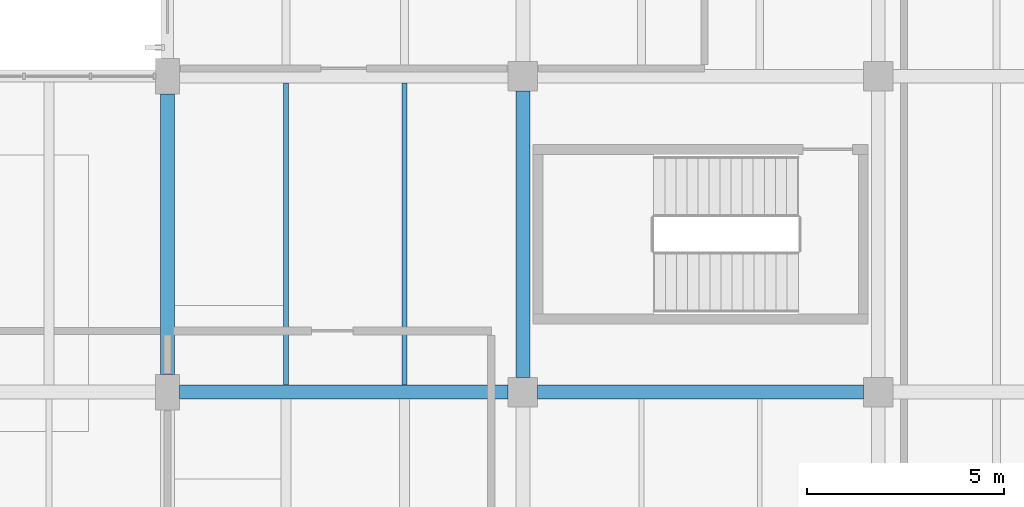
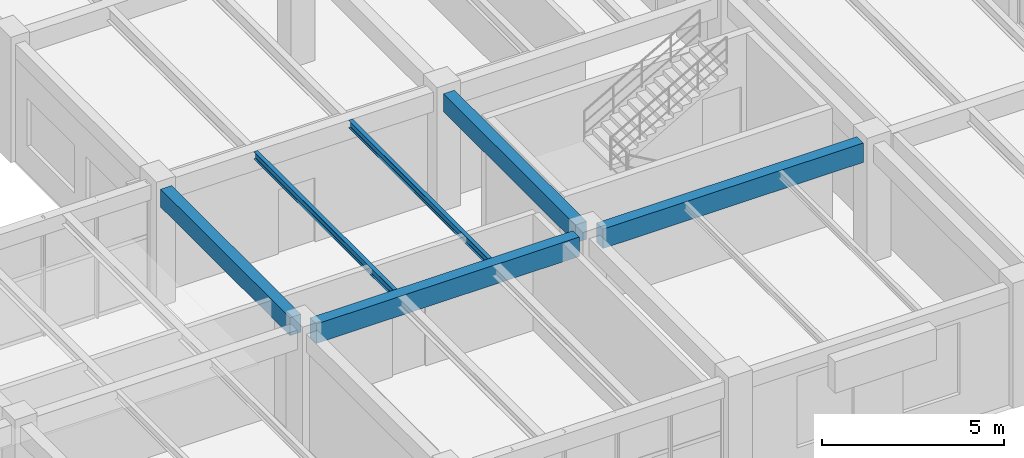
# One storey, part 70 of 128: 6 beams.
"""IFC4 building model written with IfcOpenShell, lengths in metres."""

from ifc_helpers import new_model, si_unit, derived_unit, direction, frame, origin, origin_2d, place, context, subcontext, project, spatial, rectangle, i_section, extrude, material, material_profile, profile_set, type_object, element, save


model = new_model("IFC4")

# Units and contexts
model_context = context("Model", 3, precision=1e-05, world=origin(), true_north=direction((0.0, 1.0)))
body_context = subcontext(model_context, "Body", "Model", "MODEL_VIEW")
ifc_project = project(units=[si_unit("LENGTHUNIT", "METRE"), si_unit("AREAUNIT", "SQUARE_METRE"), si_unit("VOLUMEUNIT", "CUBIC_METRE"), si_unit("PLANEANGLEUNIT", "RADIAN"), si_unit("MASSUNIT", "GRAM", prefix="KILO"), derived_unit("THERMALTRANSMITTANCEUNIT", [(si_unit("MASSUNIT", "GRAM", prefix="KILO"), 1), (si_unit("TIMEUNIT", "SECOND"), -3), (si_unit("THERMODYNAMICTEMPERATUREUNIT", "KELVIN"), -1)])], contexts=[model_context])

# Site, building, storey
site_placement = place(None, origin())
site = spatial("IfcSite", under=ifc_project, at=site_placement, CompositionType="ELEMENT")
building_placement = place(site_placement, origin())
building = spatial("IfcBuilding", under=site, at=building_placement, Name="Zhenchuan Archway Interchange", CompositionType="ELEMENT")
storey_placement = place(building_placement, frame((0.0, 0.0, 14.39990234375)))
storey = spatial("IfcBuildingStorey", under=building, at=storey_placement, Name="L03", CompositionType="ELEMENT", Elevation=14.39990234375)

# Beams
ifc_material_1 = material(Name="Concrete C40", Category="concrete")
ifc_material_profile_1 = material_profile(ifc_material_1, rectangle(XDim=0.35009765625, YDim=0.60009765625, at=origin_2d()), Name="RC 350x600")
ifc_profile_set_1 = profile_set([ifc_material_profile_1], Name="Concrete C40")
beam_type_1 = type_object("IfcBeamType", Name="BM_RC_350x600", PredefinedType="BEAM", material=ifc_profile_set_1)
beam_1_placement = place(storey_placement, frame((144.0, 16.449951171875, 3.630126953125), z_axis=(0.0, 1.0, 0.0), x_axis=(-1.0, 0.0, 0.0)))
element("IfcBeam", 1, at=beam_1_placement, inside=storey, type_object=beam_type_1, Name="Beam 17:C-D (L03)", PredefinedType="BEAM", context=body_context, shape_type="SweptSolid", body=[
    extrude(rectangle(XDim=0.35009765625, YDim=0.60009765625, at=origin_2d()), origin(), (0.0, 0.0, 1.0), 7.10009765625),
])
beam_2_placement = place(storey_placement, frame((153.0, 16.375, 3.630126953125), z_axis=(0.0, 1.0, 0.0), x_axis=(-1.0, 0.0, 0.0)))
element("IfcBeam", 2, at=beam_2_placement, inside=storey, type_object=beam_type_1, Name="Beam 18:C-D (L03)", PredefinedType="BEAM", context=body_context, shape_type="SweptSolid", body=[
    extrude(rectangle(XDim=0.35009765625, YDim=0.60009765625, at=origin_2d()), origin(), (0.0, 0.0, 1.0), 7.25),
])
ifc_material_profile_2 = material_profile(ifc_material_1, rectangle(XDim=0.35009765625, YDim=0.64990234375, at=origin_2d()), Name="RC 350x650")
ifc_profile_set_2 = profile_set([ifc_material_profile_2], Name="Concrete C40")
beam_type_2 = type_object("IfcBeamType", Name="BM_RC_350x650", PredefinedType="BEAM", material=ifc_profile_set_2)
beam_3_placement = place(storey_placement, frame((144.300048828125, 16.0, 3.60498046875), z_axis=(1.0, 0.0, 0.0), x_axis=(0.0, 1.0, 0.0)))
element("IfcBeam", 3, at=beam_3_placement, inside=storey, type_object=beam_type_2, Name="Beam C:17-18 (L03)", PredefinedType="BEAM", context=body_context, shape_type="SweptSolid", body=[
    extrude(rectangle(XDim=0.35009765625, YDim=0.64990234375, at=origin_2d()), origin(), (0.0, 0.0, 1.0), 8.324951171875),
])
beam_4_placement = place(storey_placement, frame((153.375, 16.0, 3.60498046875), z_axis=(1.0, 0.0, 0.0), x_axis=(0.0, 1.0, 0.0)))
element("IfcBeam", 4, at=beam_4_placement, inside=storey, type_object=beam_type_2, Name="Beam C:18-19 (L03)", PredefinedType="BEAM", context=body_context, shape_type="SweptSolid", body=[
    extrude(rectangle(XDim=0.35009765625, YDim=0.64990234375, at=origin_2d()), origin(), (0.0, 0.0, 1.0), 8.25),
])
ifc_material_2 = material(Name="Steel Q355", Category="steel")
ifc_material_profile_3 = material_profile(ifc_material_2, i_section(OverallWidth=0.125, OverallDepth=0.25, WebThickness=0.006103515625, FlangeThickness=0.009033203125, FilletRadius=0.011962890625, at=origin_2d()), Name="HN 250x125")
ifc_profile_set_3 = profile_set([ifc_material_profile_3], Name="Steel Q355")
beam_type_3 = type_object("IfcBeamType", Name="JST_STL_HN250", PredefinedType="JOIST", material=ifc_profile_set_3)
for number, where, z_axis, x_axis, name in (
    (5, (147.0, 16.175048828125, 3.80517578125), (0.0, 1.0, 0.0), (-1.0, 0.0, 0.0), "Secondary joist 17-18/C-D #1 (L03)"),
    (6, (150.0, 16.175048828125, 3.80517578125), (0.0, 1.0, 0.0), (-1.0, 0.0, 0.0), "Secondary joist 17-18/C-D #2 (L03)"),
):
    element("IfcBeam", number, at=place(storey_placement, frame(where, z_axis=z_axis, x_axis=x_axis)), inside=storey, type_object=beam_type_3, Name=name, PredefinedType="JOIST", context=body_context, shape_type="SweptSolid", body=[
        extrude(i_section(OverallWidth=0.125, OverallDepth=0.25, WebThickness=0.006103515625, FlangeThickness=0.009033203125, FilletRadius=0.011962890625, at=origin_2d()), origin(), (0.0, 0.0, 1.0), 7.64990234375),
    ])

save(model, "model.ifc")
